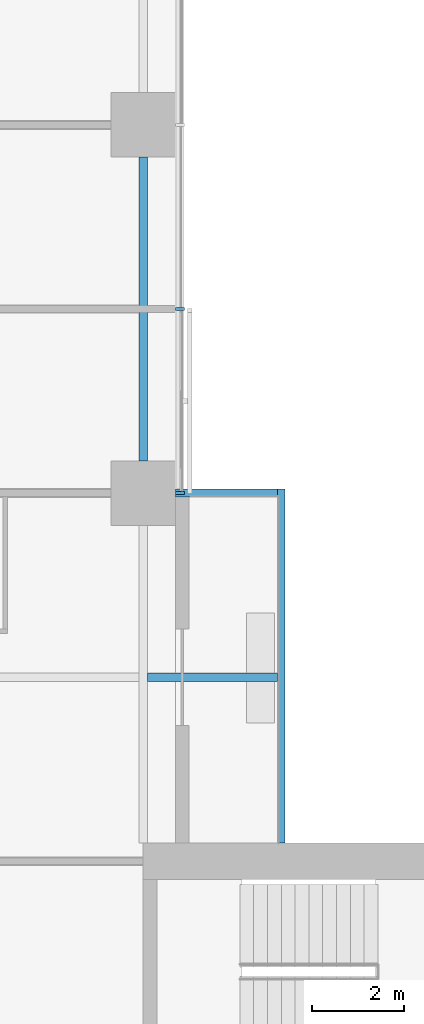
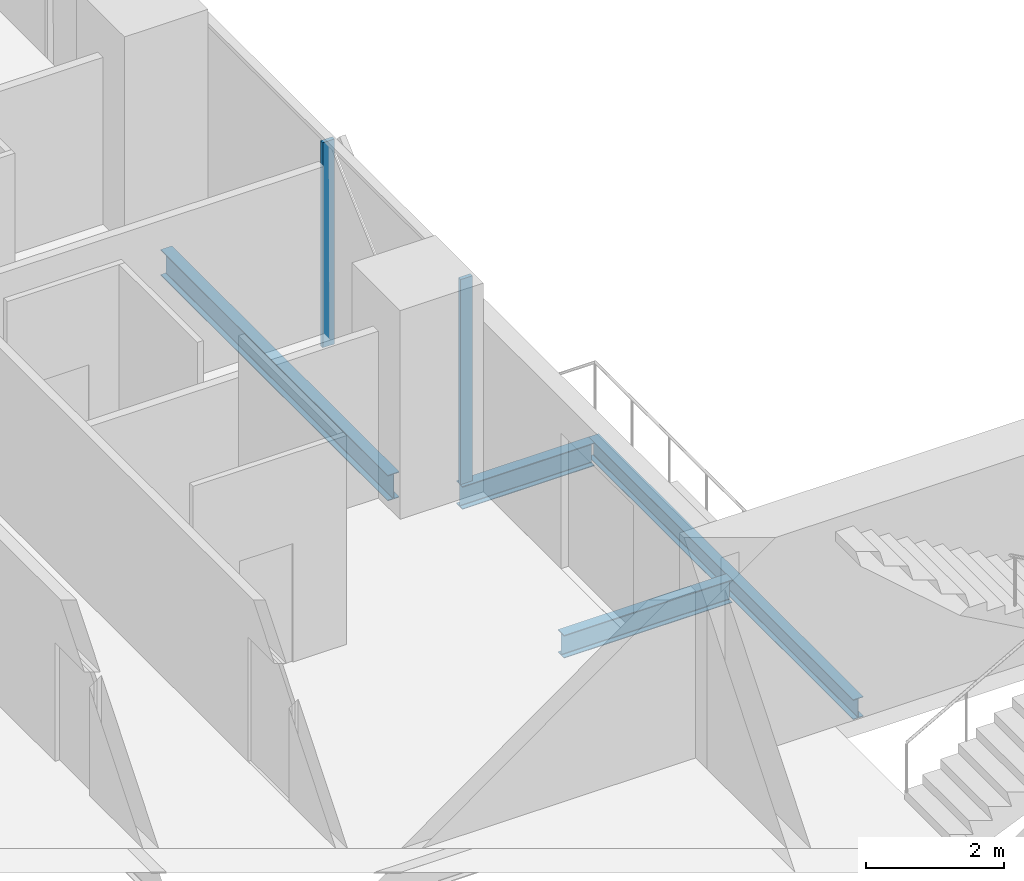
# One storey, part 10 of 27: 4 beams, 2 members, 1 element without a shape of its own.
"""IFC4 building model written with IfcOpenShell, lengths in metres."""

from ifc_helpers import new_model, si_unit, direction, frame, origin, origin_2d, place, context, subcontext, project, spatial, rectangle, i_section, extrude, material, material_profile, profile_set, type_object, element, aggregate, save


model = new_model("IFC4")

# Units and contexts
model_context = context("Model", 3, precision=1e-05, world=origin(), true_north=direction((0.0, 1.0)))
body_context = subcontext(model_context, "Body", "Model", "MODEL_VIEW")
ifc_project = project(units=[si_unit("LENGTHUNIT", "METRE"), si_unit("AREAUNIT", "SQUARE_METRE"), si_unit("VOLUMEUNIT", "CUBIC_METRE"), si_unit("PLANEANGLEUNIT", "RADIAN"), si_unit("MASSUNIT", "GRAM", prefix="KILO")], contexts=[model_context])

# Site, building, storey
site_placement = place(None, origin())
site = spatial("IfcSite", under=ifc_project, at=site_placement, CompositionType="ELEMENT")
building_placement = place(site_placement, origin())
building = spatial("IfcBuilding", under=site, at=building_placement, Name="Crosswind Convention Tower", CompositionType="ELEMENT")
storey_placement = place(building_placement, frame((0.0, 0.0, 72.0)))
storey = spatial("IfcBuildingStorey", under=building, at=storey_placement, Name="L12", CompositionType="ELEMENT", Elevation=72.0)

# Beams
ifc_material_1 = material(Name="Steel S355", Category="steel")
ifc_material_profile_1 = material_profile(ifc_material_1, i_section(OverallWidth=0.177734375, OverallDepth=0.406494140625, WebThickness=0.0078125, FlangeThickness=0.0126953125, FilletRadius=0.01025390625, at=origin_2d()), Name="UB 406x178x60")
ifc_profile_set_1 = profile_set([ifc_material_profile_1], Name="Steel S355")
beam_type_1 = type_object("IfcBeamType", Name="Balcony cantilever UB 406x178x60", PredefinedType="BEAM", material=ifc_profile_set_1)
beam_1_placement = place(storey_placement, frame((137.09521484375, 116.0, -0.483154296875), z_axis=(1.0, 0.0, 0.0), x_axis=(0.0, 1.0, 0.0)))
element("IfcBeam", 1, at=beam_1_placement, inside=storey, type_object=beam_type_1, Name="B35 L12 balcony cantilever NE 1", PredefinedType="BEAM", context=body_context, shape_type="SweptSolid", body=[
    extrude(i_section(OverallWidth=0.177734375, OverallDepth=0.406494140625, WebThickness=0.0078125, FlangeThickness=0.0126953125, FilletRadius=0.01025390625, at=origin_2d()), origin(), (0.0, 0.0, 1.0), 2.8193359375),
])
beam_2_placement = place(storey_placement, frame((137.699951171875, 120.0, -0.483154296875), z_axis=(1.0, 0.0, 0.0), x_axis=(0.0, 1.0, 0.0)))
element("IfcBeam", 2, at=beam_2_placement, inside=storey, type_object=beam_type_1, Name="B35 L12 balcony cantilever NE 2", PredefinedType="BEAM", context=body_context, shape_type="SweptSolid", body=[
    extrude(i_section(OverallWidth=0.177734375, OverallDepth=0.406494140625, WebThickness=0.0078125, FlangeThickness=0.0126953125, FilletRadius=0.01025390625, at=origin_2d()), origin(), (0.0, 0.0, 1.0), 2.214599609375),
])
ifc_material_profile_2 = material_profile(ifc_material_1, i_section(OverallWidth=0.1708984375, OverallDepth=0.35205078125, WebThickness=0.0068359375, FlangeThickness=0.009765625, FilletRadius=0.01025390625, at=origin_2d()), Name="UB 356x171x45")
ifc_profile_set_2 = profile_set([ifc_material_profile_2], Name="Steel S355")
beam_type_2 = type_object("IfcBeamType", Name="Balcony edge beam UB 356x171x45", PredefinedType="BEAM", material=ifc_profile_set_2)
beam_3_placement = place(storey_placement, frame((140.0, 112.39990234375, -0.4560546875), z_axis=(0.0, 1.0, 0.0), x_axis=(-1.0, 0.0, 0.0)))
element("IfcBeam", 3, at=beam_3_placement, inside=storey, type_object=beam_type_2, Name="B37 L12 balcony edge beam NE 3", PredefinedType="BEAM", context=body_context, shape_type="SweptSolid", body=[
    extrude(i_section(OverallWidth=0.1708984375, OverallDepth=0.35205078125, WebThickness=0.0068359375, FlangeThickness=0.009765625, FilletRadius=0.01025390625, at=origin_2d()), origin(), (0.0, 0.0, 1.0), 7.68896484375),
])
ifc_material_profile_3 = material_profile(ifc_material_1, i_section(OverallWidth=0.1904296875, OverallDepth=0.457275390625, WebThickness=0.009033203125, FlangeThickness=0.014404296875, FilletRadius=0.01025390625, at=origin_2d()), Name="UB 457x191x75")
ifc_profile_set_3 = profile_set([ifc_material_profile_3], Name="Steel S355")
beam_type_3 = type_object("IfcBeamType", Name="Edge beam UB 457x191x75", PredefinedType="SPANDREL", material=ifc_profile_set_3)
beam_4_placement = place(storey_placement, frame((137.0, 120.699951171875, -0.508544921875), z_axis=(0.0, 1.0, 0.0), x_axis=(-1.0, 0.0, 0.0)))
element("IfcBeam", 4, at=beam_4_placement, inside=storey, type_object=beam_type_3, Name="B17 L12 edge beam 22", PredefinedType="SPANDREL", context=body_context, shape_type="SweptSolid", body=[
    extrude(i_section(OverallWidth=0.1904296875, OverallDepth=0.457275390625, WebThickness=0.009033203125, FlangeThickness=0.014404296875, FilletRadius=0.01025390625, at=origin_2d()), origin(), (0.0, 0.0, 1.0), 6.60009765625),
])

# Curtain wall, members
ifc_material_2 = material(Name="Aluminium unitised curtain wall", Category="aluminium")
curtain_wall_type = type_object("IfcCurtainWallType", Name="HOTEL UNITISED WALL 200", PredefinedType="USERDEFINED", material=ifc_material_2)
curtain_wall_placement = place(storey_placement, origin())
curtain_wall = element("IfcCurtainWall", 5, at=curtain_wall_placement, inside=storey, type_object=curtain_wall_type, Name="CW2 L12 N-E 1", ObjectType="UNITISED", PredefinedType="USERDEFINED")
ifc_material_3 = material(Name="Aluminium mullion", Category="aluminium")
ifc_material_profile_4 = material_profile(ifc_material_3, rectangle(XDim=0.199951171875, YDim=0.06494140625, at=origin_2d()), Name="AL 200X65")
ifc_profile_set_4 = profile_set([ifc_material_profile_4], Name="Aluminium mullion")
member_type = type_object("IfcMemberType", Name="MULLION 65X200", PredefinedType="MULLION", material=ifc_profile_set_4)
member_1_placement = place(storey_placement, frame((137.800048828125, 120.0, -0.280029296875), z_axis=(0.0, 0.0, 1.0), x_axis=(1.0, 0.0, 0.0)))
member_1 = element("IfcMember", 6, at=member_1_placement, type_object=member_type, Name="CW2 mullion 1", PredefinedType="MULLION", context=body_context, shape_type="SweptSolid", body=[
    extrude(rectangle(XDim=0.199951171875, YDim=0.06494140625, at=origin_2d()), origin(), (0.0, 0.0, 1.0), 3.635009765625),
])
member_2_placement = place(storey_placement, frame((137.800048828125, 124.0, -0.280029296875), z_axis=(0.0, 0.0, 1.0), x_axis=(1.0, 0.0, 0.0)))
member_2 = element("IfcMember", 7, at=member_2_placement, type_object=member_type, Name="CW2 mullion 2", PredefinedType="MULLION", context=body_context, shape_type="SweptSolid", body=[
    extrude(rectangle(XDim=0.199951171875, YDim=0.06494140625, at=origin_2d()), origin(), (0.0, 0.0, 1.0), 3.635009765625),
])
aggregate(curtain_wall, [member_1, member_2])

save(model, "model.ifc")
